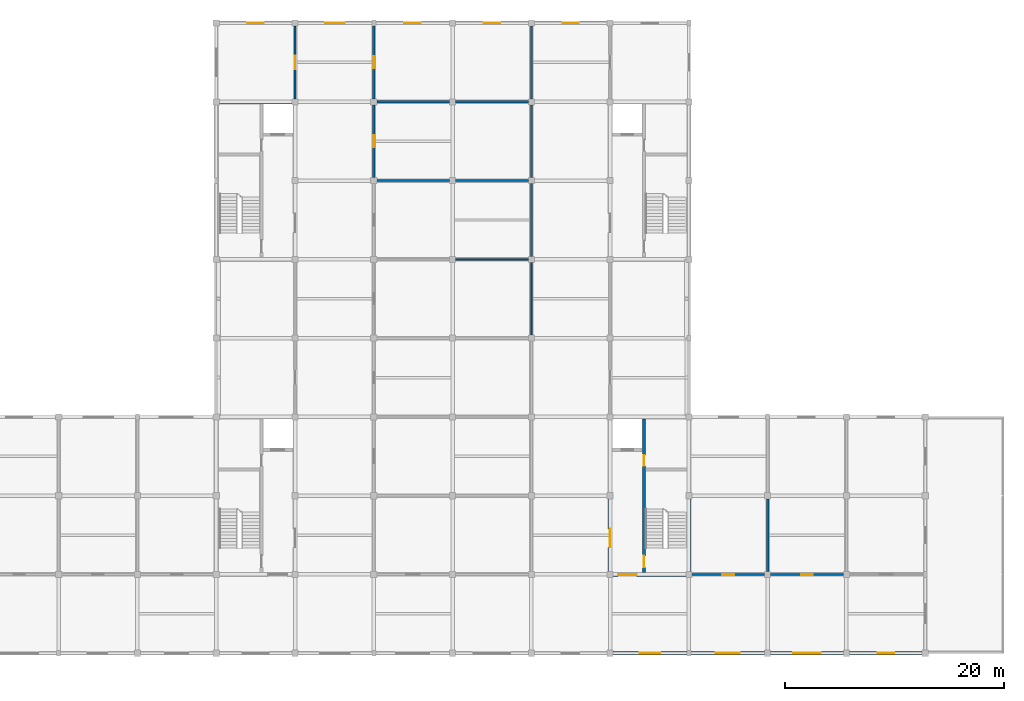
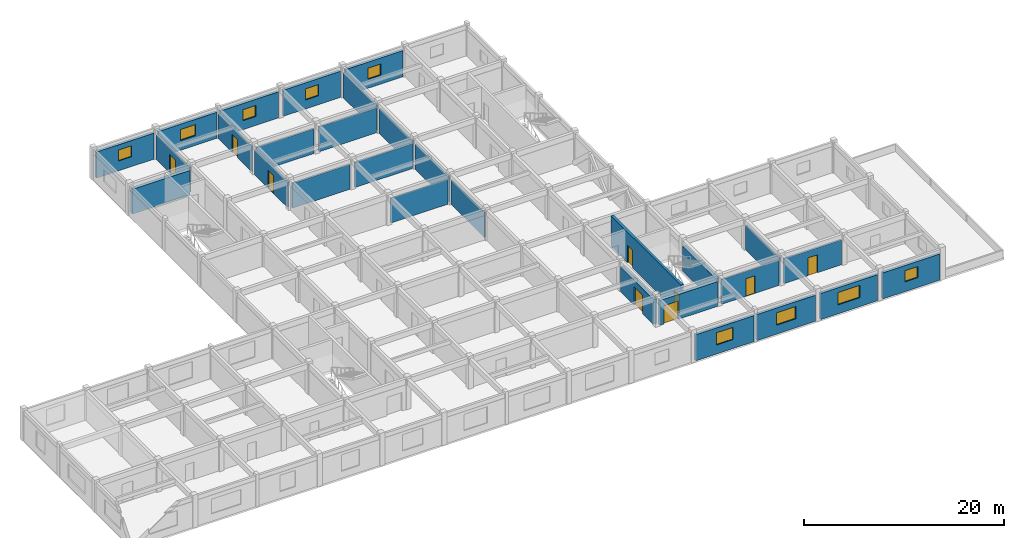
# One storey, part 7 of 10: 29 walls, 9 doors, 9 windows, 18 openings.
"""IFC4 building model written with IfcOpenShell, lengths in metres."""

from ifc_helpers import new_model, si_unit, direction, frame, frame_2d, origin, place, context, subcontext, project, spatial, rectangle, extrude, material, layer, layer_set, type_object, element, fill, save


model = new_model("IFC4")

# Units and contexts
model_context = context("Model", 3, precision=1e-05, world=origin(), true_north=direction((0.0, 1.0)))
body_context = subcontext(model_context, "Body", "Model", "MODEL_VIEW")
ifc_project = project(units=[si_unit("LENGTHUNIT", "METRE"), si_unit("AREAUNIT", "SQUARE_METRE"), si_unit("VOLUMEUNIT", "CUBIC_METRE"), si_unit("PLANEANGLEUNIT", "RADIAN"), si_unit("MASSUNIT", "GRAM", prefix="KILO")], contexts=[model_context])

# Site, building, storey
site_placement = place(None, origin())
site = spatial("IfcSite", under=ifc_project, at=site_placement, CompositionType="ELEMENT")
building_placement = place(site_placement, origin())
building = spatial("IfcBuilding", under=site, at=building_placement, Name="Cendaluz Park School", CompositionType="ELEMENT")
storey_placement = place(building_placement, frame((0.0, 0.0, 34.800048828125)))
storey = spatial("IfcBuildingStorey", under=building, at=storey_placement, Name="L08", CompositionType="ELEMENT", Elevation=34.800048828125)

# Wall, opening, door
ifc_material_1 = material(Name="Gypsum Plasterboard on Cold-Formed Stud", Category="gypsum")
ifc_layer_1 = layer(ifc_material_1, 0.199951171875)
ifc_layer_set_1 = layer_set([ifc_layer_1], Name="Gypsum Plasterboard on Cold-Formed Stud")
wall_type_1 = type_object("IfcWallType", Name="W-AC20", PredefinedType="PARTITIONING", material=ifc_layer_set_1)
wall_1_placement = place(storey_placement, frame((108.280029296875, 14.39990234375, 0.0), z_axis=(0.0, 0.0, 1.0), x_axis=(1.0, 0.0, 0.0)))
wall_1 = element("IfcWall", 1, at=wall_1_placement, inside=storey, type_object=wall_type_1, Name="WL-FI-BM9", PredefinedType="PARTITIONING", context=body_context, shape_type="SweptSolid", body=[
    extrude(rectangle(XDim=6.639892578125, YDim=0.199951171875, at=frame_2d((3.31982421875, 0.0))), origin(), (0.0, 0.0, 1.0), 3.030029296875),
])
opening_1_placement = place(wall_1_placement, frame((2.7900390625, 0.0, 0.0)))
opening_1 = element("IfcOpeningElement", 2, at=opening_1_placement, cuts=wall_1, Name="Opening DCL-04", PredefinedType="OPENING", context=body_context, shape_type="SweptSolid", body=[
    extrude(rectangle(XDim=1.06005859375, YDim=2.159912109375, at=frame_2d((0.530029296875, 1.080078125))), frame((0.0, 0.112060546875, 0.0), z_axis=(0.0, -1.0, 0.0), x_axis=(1.0, 0.0, 0.0)), (0.0, 0.0, 1.0), 0.223876953125),
])
ifc_material_2 = material(Name="Solid Core Hardwood", Category="wood")
door_type_1 = type_object("IfcDoorType", Name="DCL-04", OperationType="NOTDEFINED", PredefinedType="DOOR", material=ifc_material_2)
door_1_placement = place(opening_1_placement, origin())
door_1 = element("IfcDoor", 3, at=door_1_placement, inside=storey, type_object=door_type_1, Name="D-L08-023", OperationType="SINGLE_SWING_RIGHT", OverallHeight=2.159912109375, OverallWidth=1.06005859375, PredefinedType="DOOR", context=body_context, shape_type="SweptSolid", body=[
    extrude(rectangle(XDim=1.06005859375, YDim=2.159912109375, at=frame_2d((0.530029296875, 1.080078125))), frame((0.0, 0.02490234375, 0.0), z_axis=(0.0, -1.0, 0.0), x_axis=(1.0, 0.0, 0.0)), (0.0, 0.0, 1.0), 0.050048828125),
])
fill(opening_1, door_1)

# Wall
wall_2_placement = place(storey_placement, frame((115.199951171875, 14.679931640625, 0.0), z_axis=(0.0, 0.0, 1.0), x_axis=(0.0, 1.0, 0.0)))
element("IfcWall", 4, at=wall_2_placement, inside=storey, type_object=wall_type_1, Name="WL-FI-BN0", PredefinedType="PARTITIONING", context=body_context, shape_type="SweptSolid", body=[
    extrude(rectangle(XDim=6.64013671875, YDim=0.199951171875, at=frame_2d((3.320068359375, 0.0))), origin(), (0.0, 0.0, 1.0), 3.030029296875),
])

# Wall, opening, door
wall_3_placement = place(storey_placement, frame((115.47998046875, 14.39990234375, 0.0), z_axis=(0.0, 0.0, 1.0), x_axis=(1.0, 0.0, 0.0)))
wall_3 = element("IfcWall", 5, at=wall_3_placement, inside=storey, type_object=wall_type_1, Name="WL-FI-BN2", PredefinedType="PARTITIONING", context=body_context, shape_type="SweptSolid", body=[
    extrude(rectangle(XDim=6.64013671875, YDim=0.199951171875, at=frame_2d((3.320068359375, 0.0))), origin(), (0.0, 0.0, 1.0), 3.030029296875),
])
opening_2_placement = place(wall_3_placement, frame((2.780029296875, 0.0, 0.0)))
opening_2 = element("IfcOpeningElement", 6, at=opening_2_placement, cuts=wall_3, Name="Opening DCL-05", PredefinedType="OPENING", context=body_context, shape_type="SweptSolid", body=[
    extrude(rectangle(XDim=1.080078125, YDim=2.179931640625, at=frame_2d((0.5400390625, 1.08984375))), frame((0.0, 0.112060546875, 0.0), z_axis=(0.0, -1.0, 0.0), x_axis=(1.0, 0.0, 0.0)), (0.0, 0.0, 1.0), 0.223876953125),
])
door_type_2 = type_object("IfcDoorType", Name="DCL-05", OperationType="NOTDEFINED", PredefinedType="DOOR", material=ifc_material_2)
door_2_placement = place(opening_2_placement, origin())
door_2 = element("IfcDoor", 7, at=door_2_placement, inside=storey, type_object=door_type_2, Name="D-L08-024", OperationType="SINGLE_SWING_LEFT", OverallHeight=2.179931640625, OverallWidth=1.080078125, PredefinedType="DOOR", context=body_context, shape_type="SweptSolid", body=[
    extrude(rectangle(XDim=1.080078125, YDim=2.179931640625, at=frame_2d((0.5400390625, 1.08984375))), frame((0.0, 0.02490234375, 0.0), z_axis=(0.0, -1.0, 0.0), x_axis=(1.0, 0.0, 0.0)), (0.0, 0.0, 1.0), 0.050048828125),
])
fill(opening_2, door_2)

wall_4_placement = place(storey_placement, frame((72.0, 57.8798828125, 0.0), z_axis=(0.0, 0.0, 1.0), x_axis=(0.0, 1.0, 0.0)))
wall_4 = element("IfcWall", 8, at=wall_4_placement, inside=storey, type_object=wall_type_1, Name="WL-FI-BN8", PredefinedType="PARTITIONING", context=body_context, shape_type="SweptSolid", body=[
    extrude(rectangle(XDim=6.64013671875, YDim=0.199951171875, at=frame_2d((3.320068359375, 0.0))), origin(), (0.0, 0.0, 1.0), 3.030029296875),
])
opening_3_placement = place(wall_4_placement, frame((2.719970703125, 0.0, 0.0)))
opening_3 = element("IfcOpeningElement", 9, at=opening_3_placement, cuts=wall_4, Name="Opening DCL-08", PredefinedType="OPENING", context=body_context, shape_type="SweptSolid", body=[
    extrude(rectangle(XDim=1.199951171875, YDim=2.239990234375, at=frame_2d((0.60009765625, 1.1201171875))), frame((0.0, 0.112060546875, 0.0), z_axis=(0.0, -1.0, 0.0), x_axis=(1.0, 0.0, 0.0)), (0.0, 0.0, 1.0), 0.223876953125),
])
door_type_3 = type_object("IfcDoorType", Name="DCL-08", OperationType="NOTDEFINED", PredefinedType="DOOR", material=ifc_material_2)
door_3_placement = place(opening_3_placement, origin())
door_3 = element("IfcDoor", 10, at=door_3_placement, inside=storey, type_object=door_type_3, Name="D-L08-027", OperationType="SINGLE_SWING_RIGHT", OverallHeight=2.239990234375, OverallWidth=1.199951171875, PredefinedType="DOOR", context=body_context, shape_type="SweptSolid", body=[
    extrude(rectangle(XDim=1.199951171875, YDim=2.239990234375, at=frame_2d((0.60009765625, 1.1201171875))), frame((0.0, 0.02490234375, 0.0), z_axis=(0.0, -1.0, 0.0), x_axis=(1.0, 0.0, 0.0)), (0.0, 0.0, 1.0), 0.050048828125),
])
fill(opening_3, door_3)

# Walls
for number, where, z_axis, x_axis, name in (
    (11, (79.47998046875, 50.39990234375, 0.0), (0.0, 0.0, 1.0), (1.0, 0.0, 0.0), "WL-FI-BP7"),
    (12, (86.679931640625, 50.39990234375, 0.0), (0.0, 0.0, 1.0), (1.0, 0.0, 0.0), "WL-FI-BP9"),
    (13, (93.60009765625, 43.47998046875, 0.0), (0.0, 0.0, 1.0), (0.0, 1.0, 0.0), "WL-FI-BQ0"),
    (14, (79.47998046875, 57.60009765625, 0.0), (0.0, 0.0, 1.0), (1.0, 0.0, 0.0), "WL-FI-BQ1"),
):
    element("IfcWall", number, at=place(storey_placement, frame(where, z_axis=z_axis, x_axis=x_axis)), inside=storey, type_object=wall_type_1, Name=name, PredefinedType="PARTITIONING", context=body_context, shape_type="SweptSolid", body=[
        extrude(rectangle(XDim=6.64013671875, YDim=0.199951171875, at=frame_2d((3.320068359375, 0.0))), origin(), (0.0, 0.0, 1.0), 3.030029296875),
    ])

# Wall, opening, door
wall_5_placement = place(storey_placement, frame((79.199951171875, 50.679931640625, 0.0), z_axis=(0.0, 0.0, 1.0), x_axis=(0.0, 1.0, 0.0)))
wall_5 = element("IfcWall", 15, at=wall_5_placement, inside=storey, type_object=wall_type_1, Name="WL-FI-BQ2", PredefinedType="PARTITIONING", context=body_context, shape_type="SweptSolid", body=[
    extrude(rectangle(XDim=6.64013671875, YDim=0.199951171875, at=frame_2d((3.320068359375, 0.0))), origin(), (0.0, 0.0, 1.0), 3.030029296875),
])
opening_4_placement = place(wall_5_placement, frame((2.7900390625, 0.0, 0.0)))
opening_4 = element("IfcOpeningElement", 16, at=opening_4_placement, cuts=wall_5, Name="Opening DCL-04", PredefinedType="OPENING", context=body_context, shape_type="SweptSolid", body=[
    extrude(rectangle(XDim=1.06005859375, YDim=2.159912109375, at=frame_2d((0.530029296875, 1.080078125))), frame((0.0, 0.112060546875, 0.0), z_axis=(0.0, -1.0, 0.0), x_axis=(1.0, 0.0, 0.0)), (0.0, 0.0, 1.0), 0.223876953125),
])
door_4_placement = place(opening_4_placement, frame((1.06005859375, 0.0, 0.0), z_axis=(0.0, 0.0, 1.0), x_axis=(-1.0, 0.0, 0.0)))
door_4 = element("IfcDoor", 17, at=door_4_placement, inside=storey, type_object=door_type_1, Name="D-L08-033", OperationType="SINGLE_SWING_RIGHT", OverallHeight=2.159912109375, OverallWidth=1.06005859375, PredefinedType="DOOR", context=body_context, shape_type="SweptSolid", body=[
    extrude(rectangle(XDim=1.06005859375, YDim=2.159912109375, at=frame_2d((0.530029296875, 1.080078125))), frame((0.0, 0.02490234375, 0.0), z_axis=(0.0, -1.0, 0.0), x_axis=(1.0, 0.0, 0.0)), (0.0, 0.0, 1.0), 0.050048828125),
])
fill(opening_4, door_4)

# Walls
for number, where, z_axis, x_axis, name in (
    (18, (86.679931640625, 57.60009765625, 0.0), (0.0, 0.0, 1.0), (1.0, 0.0, 0.0), "WL-FI-BQ3"),
    (19, (93.60009765625, 50.679931640625, 0.0), (0.0, 0.0, 1.0), (0.0, 1.0, 0.0), "WL-FI-BQ4"),
):
    element("IfcWall", number, at=place(storey_placement, frame(where, z_axis=z_axis, x_axis=x_axis)), inside=storey, type_object=wall_type_1, Name=name, PredefinedType="PARTITIONING", context=body_context, shape_type="SweptSolid", body=[
        extrude(rectangle(XDim=6.64013671875, YDim=0.199951171875, at=frame_2d((3.320068359375, 0.0))), origin(), (0.0, 0.0, 1.0), 3.030029296875),
    ])

# Wall, opening, door
wall_6_placement = place(storey_placement, frame((79.199951171875, 57.8798828125, 0.0), z_axis=(0.0, 0.0, 1.0), x_axis=(0.0, 1.0, 0.0)))
wall_6 = element("IfcWall", 20, at=wall_6_placement, inside=storey, type_object=wall_type_1, Name="WL-FI-BQ5", PredefinedType="PARTITIONING", context=body_context, shape_type="SweptSolid", body=[
    extrude(rectangle(XDim=6.66015625, YDim=0.199951171875, at=frame_2d((3.330078125, 0.0))), origin(), (0.0, 0.0, 1.0), 3.030029296875),
])
opening_5_placement = place(wall_6_placement, frame((2.7900390625, 0.0, 0.0)))
opening_5 = element("IfcOpeningElement", 21, at=opening_5_placement, cuts=wall_6, Name="Opening DCL-05", PredefinedType="OPENING", context=body_context, shape_type="SweptSolid", body=[
    extrude(rectangle(XDim=1.080078125, YDim=2.179931640625, at=frame_2d((0.5400390625, 1.08984375))), frame((0.0, 0.112060546875, 0.0), z_axis=(0.0, -1.0, 0.0), x_axis=(1.0, 0.0, 0.0)), (0.0, 0.0, 1.0), 0.223876953125),
])
door_5_placement = place(opening_5_placement, frame((1.080078125, 0.0, 0.0), z_axis=(0.0, 0.0, 1.0), x_axis=(-1.0, 0.0, 0.0)))
door_5 = element("IfcDoor", 22, at=door_5_placement, inside=storey, type_object=door_type_2, Name="D-L08-034", OperationType="SINGLE_SWING_LEFT", OverallHeight=2.179931640625, OverallWidth=1.080078125, PredefinedType="DOOR", context=body_context, shape_type="SweptSolid", body=[
    extrude(rectangle(XDim=1.080078125, YDim=2.179931640625, at=frame_2d((0.5400390625, 1.08984375))), frame((0.0, 0.02490234375, 0.0), z_axis=(0.0, -1.0, 0.0), x_axis=(1.0, 0.0, 0.0)), (0.0, 0.0, 1.0), 0.050048828125),
])
fill(opening_5, door_5)

# Wall
wall_7_placement = place(storey_placement, frame((93.60009765625, 57.8798828125, 0.0), z_axis=(0.0, 0.0, 1.0), x_axis=(0.0, 1.0, 0.0)))
element("IfcWall", 23, at=wall_7_placement, inside=storey, type_object=wall_type_1, Name="WL-FI-BQ6", PredefinedType="PARTITIONING", context=body_context, shape_type="SweptSolid", body=[
    extrude(rectangle(XDim=6.64013671875, YDim=0.199951171875, at=frame_2d((3.320068359375, 0.0))), origin(), (0.0, 0.0, 1.0), 3.030029296875),
])

# Wall, opening, window
ifc_material_3 = material(Name="Cross-laminated timber CLT C24", Category="wood")
ifc_layer_2 = layer(ifc_material_3, 0.300048828125)
ifc_layer_set_2 = layer_set([ifc_layer_2], Name="Cross-laminated timber CLT C24")
wall_type_2 = type_object("IfcWallType", Name="W-EX30", PredefinedType="SOLIDWALL", material=ifc_layer_set_2)
wall_8_placement = place(storey_placement, frame((65.080078125, 64.800048828125, 0.0), z_axis=(0.0, 0.0, 1.0), x_axis=(1.0, 0.0, 0.0)))
wall_8 = element("IfcWall", 24, at=wall_8_placement, inside=storey, type_object=wall_type_2, Name="WL-FI-AB4", PredefinedType="SOLIDWALL", context=body_context, shape_type="SweptSolid", body=[
    extrude(rectangle(XDim=6.639892578125, YDim=0.300048828125, at=frame_2d((3.31982421875, 0.0))), origin(), (0.0, 0.0, 1.0), 3.18994140625),
])
opening_6_placement = place(wall_8_placement, frame((2.570068359375, 0.0, 1.199951171875)))
opening_6 = element("IfcOpeningElement", 25, at=opening_6_placement, cuts=wall_8, Name="Opening WN-20", PredefinedType="OPENING", context=body_context, shape_type="SweptSolid", body=[
    extrude(rectangle(XDim=1.5, YDim=1.35009765625, at=frame_2d((0.75, 0.675048828125))), frame((0.0, 0.162109375, 0.0), z_axis=(0.0, -1.0, 0.0), x_axis=(1.0, 0.0, 0.0)), (0.0, 0.0, 1.0), 0.323974609375),
])
ifc_material_4 = material(Name="Tempered Low-E Double Glazing", Category="glass")
window_type_1 = type_object("IfcWindowType", Name="WN-20", PartitioningType="SINGLE_PANEL", PredefinedType="WINDOW", material=ifc_material_4)
window_1_placement = place(opening_6_placement, origin())
window_1 = element("IfcWindow", 26, at=window_1_placement, inside=storey, type_object=window_type_1, Name="WN-L08-013", OverallHeight=1.35009765625, OverallWidth=1.5, PartitioningType="SINGLE_PANEL", PredefinedType="WINDOW", context=body_context, shape_type="SweptSolid", body=[
    extrude(rectangle(XDim=1.5, YDim=1.35009765625, at=frame_2d((0.75, 0.675048828125))), frame((0.0, 0.030029296875, 0.0), z_axis=(0.0, -1.0, 0.0), x_axis=(1.0, 0.0, 0.0)), (0.0, 0.0, 1.0), 0.06005859375),
])
fill(opening_6, window_1)

wall_9_placement = place(storey_placement, frame((72.280029296875, 64.800048828125, 0.0), z_axis=(0.0, 0.0, 1.0), x_axis=(1.0, 0.0, 0.0)))
wall_9 = element("IfcWall", 27, at=wall_9_placement, inside=storey, type_object=wall_type_2, Name="WL-FI-AB7", PredefinedType="SOLIDWALL", context=body_context, shape_type="SweptSolid", body=[
    extrude(rectangle(XDim=6.739990234375, YDim=0.300048828125, at=frame_2d((3.3701171875, 0.0))), origin(), (0.0, 0.0, 1.0), 3.18994140625),
])
opening_7_placement = place(wall_9_placement, frame((2.4951171875, 0.0, 1.199951171875)))
opening_7 = element("IfcOpeningElement", 28, at=opening_7_placement, cuts=wall_9, Name="Opening WN-21", PredefinedType="OPENING", context=body_context, shape_type="SweptSolid", body=[
    extrude(rectangle(XDim=1.75, YDim=1.35009765625, at=frame_2d((0.875, 0.675048828125))), frame((0.0, 0.162109375, 0.0), z_axis=(0.0, -1.0, 0.0), x_axis=(1.0, 0.0, 0.0)), (0.0, 0.0, 1.0), 0.323974609375),
])
window_type_2 = type_object("IfcWindowType", Name="WN-21", PartitioningType="SINGLE_PANEL", PredefinedType="WINDOW", material=ifc_material_4)
window_2_placement = place(opening_7_placement, origin())
window_2 = element("IfcWindow", 29, at=window_2_placement, inside=storey, type_object=window_type_2, Name="WN-L08-016", OverallHeight=1.35009765625, OverallWidth=1.75, PartitioningType="SINGLE_PANEL", PredefinedType="WINDOW", context=body_context, shape_type="SweptSolid", body=[
    extrude(rectangle(XDim=1.75, YDim=1.35009765625, at=frame_2d((0.875, 0.675048828125))), frame((0.0, 0.030029296875, 0.0), z_axis=(0.0, -1.0, 0.0), x_axis=(1.0, 0.0, 0.0)), (0.0, 0.0, 1.0), 0.06005859375),
])
fill(opening_7, window_2)

wall_10_placement = place(storey_placement, frame((79.3798828125, 64.800048828125, 0.0), z_axis=(0.0, 0.0, 1.0), x_axis=(1.0, 0.0, 0.0)))
wall_10 = element("IfcWall", 30, at=wall_10_placement, inside=storey, type_object=wall_type_2, Name="WL-FI-AB9", PredefinedType="SOLIDWALL", context=body_context, shape_type="SweptSolid", body=[
    extrude(rectangle(XDim=6.740234375, YDim=0.300048828125, at=frame_2d((3.3701171875, 0.0))), origin(), (0.0, 0.0, 1.0), 3.18994140625),
])
opening_8_placement = place(wall_10_placement, frame((2.6201171875, 0.0, 1.10009765625)))
opening_8 = element("IfcOpeningElement", 31, at=opening_8_placement, cuts=wall_10, Name="Opening WN-20", PredefinedType="OPENING", context=body_context, shape_type="SweptSolid", body=[
    extrude(rectangle(XDim=1.5, YDim=1.35009765625, at=frame_2d((0.75, 0.675048828125))), frame((0.0, 0.162109375, 0.0), z_axis=(0.0, -1.0, 0.0), x_axis=(1.0, 0.0, 0.0)), (0.0, 0.0, 1.0), 0.323974609375),
])
window_3_placement = place(opening_8_placement, origin())
window_3 = element("IfcWindow", 32, at=window_3_placement, inside=storey, type_object=window_type_1, Name="WN-L08-018", OverallHeight=1.35009765625, OverallWidth=1.5, PartitioningType="SINGLE_PANEL", PredefinedType="WINDOW", context=body_context, shape_type="SweptSolid", body=[
    extrude(rectangle(XDim=1.5, YDim=1.35009765625, at=frame_2d((0.75, 0.675048828125))), frame((0.0, 0.030029296875, 0.0), z_axis=(0.0, -1.0, 0.0), x_axis=(1.0, 0.0, 0.0)), (0.0, 0.0, 1.0), 0.06005859375),
])
fill(opening_8, window_3)

wall_11_placement = place(storey_placement, frame((86.679931640625, 64.800048828125, 0.0), z_axis=(0.0, 0.0, 1.0), x_axis=(1.0, 0.0, 0.0)))
wall_11 = element("IfcWall", 33, at=wall_11_placement, inside=storey, type_object=wall_type_2, Name="WL-FI-AC1", PredefinedType="SOLIDWALL", context=body_context, shape_type="SweptSolid", body=[
    extrude(rectangle(XDim=6.64013671875, YDim=0.300048828125, at=frame_2d((3.320068359375, 0.0))), origin(), (0.0, 0.0, 1.0), 3.18994140625),
])
opening_9_placement = place(wall_11_placement, frame((2.570068359375, 0.0, 1.10009765625)))
opening_9 = element("IfcOpeningElement", 34, at=opening_9_placement, cuts=wall_11, Name="Opening WN-20", PredefinedType="OPENING", context=body_context, shape_type="SweptSolid", body=[
    extrude(rectangle(XDim=1.5, YDim=1.35009765625, at=frame_2d((0.75, 0.675048828125))), frame((0.0, 0.162109375, 0.0), z_axis=(0.0, -1.0, 0.0), x_axis=(1.0, 0.0, 0.0)), (0.0, 0.0, 1.0), 0.323974609375),
])
window_4_placement = place(opening_9_placement, origin())
window_4 = element("IfcWindow", 35, at=window_4_placement, inside=storey, type_object=window_type_1, Name="WN-L08-020", OverallHeight=1.35009765625, OverallWidth=1.5, PartitioningType="SINGLE_PANEL", PredefinedType="WINDOW", context=body_context, shape_type="SweptSolid", body=[
    extrude(rectangle(XDim=1.5, YDim=1.35009765625, at=frame_2d((0.75, 0.675048828125))), frame((0.0, 0.030029296875, 0.0), z_axis=(0.0, -1.0, 0.0), x_axis=(1.0, 0.0, 0.0)), (0.0, 0.0, 1.0), 0.06005859375),
])
fill(opening_9, window_4)

wall_12_placement = place(storey_placement, frame((93.8798828125, 64.800048828125, 0.0), z_axis=(0.0, 0.0, 1.0), x_axis=(1.0, 0.0, 0.0)))
wall_12 = element("IfcWall", 36, at=wall_12_placement, inside=storey, type_object=wall_type_2, Name="WL-FI-AC3", PredefinedType="SOLIDWALL", context=body_context, shape_type="SweptSolid", body=[
    extrude(rectangle(XDim=6.64013671875, YDim=0.300048828125, at=frame_2d((3.320068359375, 0.0))), origin(), (0.0, 0.0, 1.0), 3.18994140625),
])
opening_10_placement = place(wall_12_placement, frame((2.570068359375, 0.0, 1.10009765625)))
opening_10 = element("IfcOpeningElement", 37, at=opening_10_placement, cuts=wall_12, Name="Opening WN-20", PredefinedType="OPENING", context=body_context, shape_type="SweptSolid", body=[
    extrude(rectangle(XDim=1.5, YDim=1.35009765625, at=frame_2d((0.75, 0.675048828125))), frame((0.0, 0.162109375, 0.0), z_axis=(0.0, -1.0, 0.0), x_axis=(1.0, 0.0, 0.0)), (0.0, 0.0, 1.0), 0.323974609375),
])
window_5_placement = place(opening_10_placement, origin())
window_5 = element("IfcWindow", 38, at=window_5_placement, inside=storey, type_object=window_type_1, Name="WN-L08-022", OverallHeight=1.35009765625, OverallWidth=1.5, PartitioningType="SINGLE_PANEL", PredefinedType="WINDOW", context=body_context, shape_type="SweptSolid", body=[
    extrude(rectangle(XDim=1.5, YDim=1.35009765625, at=frame_2d((0.75, 0.675048828125))), frame((0.0, 0.030029296875, 0.0), z_axis=(0.0, -1.0, 0.0), x_axis=(1.0, 0.0, 0.0)), (0.0, 0.0, 1.0), 0.06005859375),
])
fill(opening_10, window_5)

wall_13_placement = place(storey_placement, frame((101.080078125, 7.199951171875, 0.0), z_axis=(0.0, 0.0, 1.0), x_axis=(1.0, 0.0, 0.0)))
wall_13 = element("IfcWall", 39, at=wall_13_placement, inside=storey, type_object=wall_type_2, Name="WL-FI-AC4", PredefinedType="SOLIDWALL", context=body_context, shape_type="SweptSolid", body=[
    extrude(rectangle(XDim=6.739990234375, YDim=0.300048828125, at=frame_2d((3.3701171875, 0.0))), origin(), (0.0, 0.0, 1.0), 3.18994140625),
])
opening_11_placement = place(wall_13_placement, frame((2.419921875, 0.0, 1.10009765625)))
opening_11 = element("IfcOpeningElement", 40, at=opening_11_placement, cuts=wall_13, Name="Opening WN-17", PredefinedType="OPENING", context=body_context, shape_type="SweptSolid", body=[
    extrude(rectangle(XDim=1.89990234375, YDim=1.5, at=frame_2d((0.949951171875, 0.75))), frame((0.0, 0.162109375, 0.0), z_axis=(0.0, -1.0, 0.0), x_axis=(1.0, 0.0, 0.0)), (0.0, 0.0, 1.0), 0.323974609375),
])
window_type_3 = type_object("IfcWindowType", Name="WN-17", PartitioningType="SINGLE_PANEL", PredefinedType="WINDOW", material=ifc_material_4)
window_6_placement = place(opening_11_placement, origin())
window_6 = element("IfcWindow", 41, at=window_6_placement, inside=storey, type_object=window_type_3, Name="WN-L08-023", OverallHeight=1.5, OverallWidth=1.89990234375, PartitioningType="SINGLE_PANEL", PredefinedType="WINDOW", context=body_context, shape_type="SweptSolid", body=[
    extrude(rectangle(XDim=1.89990234375, YDim=1.5, at=frame_2d((0.949951171875, 0.75))), frame((0.0, 0.030029296875, 0.0), z_axis=(0.0, -1.0, 0.0), x_axis=(1.0, 0.0, 0.0)), (0.0, 0.0, 1.0), 0.06005859375),
])
fill(opening_11, window_6)

wall_14_placement = place(storey_placement, frame((108.179931640625, 7.199951171875, 0.0), z_axis=(0.0, 0.0, 1.0), x_axis=(1.0, 0.0, 0.0)))
wall_14 = element("IfcWall", 42, at=wall_14_placement, inside=storey, type_object=wall_type_2, Name="WL-FI-AC9", PredefinedType="SOLIDWALL", context=body_context, shape_type="SweptSolid", body=[
    extrude(rectangle(XDim=6.739990234375, YDim=0.300048828125, at=frame_2d((3.3701171875, 0.0))), origin(), (0.0, 0.0, 1.0), 3.18994140625),
])
opening_12_placement = place(wall_14_placement, frame((2.27001953125, 0.0, 1.10009765625)))
opening_12 = element("IfcOpeningElement", 43, at=opening_12_placement, cuts=wall_14, Name="Opening WN-18", PredefinedType="OPENING", context=body_context, shape_type="SweptSolid", body=[
    extrude(rectangle(XDim=2.199951171875, YDim=1.5, at=frame_2d((1.10009765625, 0.75))), frame((0.0, 0.162109375, 0.0), z_axis=(0.0, -1.0, 0.0), x_axis=(1.0, 0.0, 0.0)), (0.0, 0.0, 1.0), 0.323974609375),
])
window_type_4 = type_object("IfcWindowType", Name="WN-18", PartitioningType="SINGLE_PANEL", PredefinedType="WINDOW", material=ifc_material_4)
window_7_placement = place(opening_12_placement, origin())
window_7 = element("IfcWindow", 44, at=window_7_placement, inside=storey, type_object=window_type_4, Name="WN-L08-026", OverallHeight=1.5, OverallWidth=2.199951171875, PartitioningType="SINGLE_PANEL", PredefinedType="WINDOW", context=body_context, shape_type="SweptSolid", body=[
    extrude(rectangle(XDim=2.199951171875, YDim=1.5, at=frame_2d((1.10009765625, 0.75))), frame((0.0, 0.030029296875, 0.0), z_axis=(0.0, -1.0, 0.0), x_axis=(1.0, 0.0, 0.0)), (0.0, 0.0, 1.0), 0.06005859375),
])
fill(opening_12, window_7)

wall_15_placement = place(storey_placement, frame((115.47998046875, 7.199951171875, 0.0), z_axis=(0.0, 0.0, 1.0), x_axis=(1.0, 0.0, 0.0)))
wall_15 = element("IfcWall", 45, at=wall_15_placement, inside=storey, type_object=wall_type_2, Name="WL-FI-AD1", PredefinedType="SOLIDWALL", context=body_context, shape_type="SweptSolid", body=[
    extrude(rectangle(XDim=6.64013671875, YDim=0.300048828125, at=frame_2d((3.320068359375, 0.0))), origin(), (0.0, 0.0, 1.0), 3.18994140625),
])
opening_13_placement = place(wall_15_placement, frame((2.070068359375, 0.0, 1.10009765625)))
opening_13 = element("IfcOpeningElement", 46, at=opening_13_placement, cuts=wall_15, Name="Opening WN-19", PredefinedType="OPENING", context=body_context, shape_type="SweptSolid", body=[
    extrude(rectangle(XDim=2.5, YDim=1.5, at=frame_2d((1.25, 0.75))), frame((0.0, 0.162109375, 0.0), z_axis=(0.0, -1.0, 0.0), x_axis=(1.0, 0.0, 0.0)), (0.0, 0.0, 1.0), 0.323974609375),
])
window_type_5 = type_object("IfcWindowType", Name="WN-19", PartitioningType="SINGLE_PANEL", PredefinedType="WINDOW", material=ifc_material_4)
window_8_placement = place(opening_13_placement, origin())
window_8 = element("IfcWindow", 47, at=window_8_placement, inside=storey, type_object=window_type_5, Name="WN-L08-028", OverallHeight=1.5, OverallWidth=2.5, PartitioningType="SINGLE_PANEL", PredefinedType="WINDOW", context=body_context, shape_type="SweptSolid", body=[
    extrude(rectangle(XDim=2.5, YDim=1.5, at=frame_2d((1.25, 0.75))), frame((0.0, 0.030029296875, 0.0), z_axis=(0.0, -1.0, 0.0), x_axis=(1.0, 0.0, 0.0)), (0.0, 0.0, 1.0), 0.06005859375),
])
fill(opening_13, window_8)

wall_16_placement = place(storey_placement, frame((122.679931640625, 7.199951171875, 0.0), z_axis=(0.0, 0.0, 1.0), x_axis=(1.0, 0.0, 0.0)))
wall_16 = element("IfcWall", 48, at=wall_16_placement, inside=storey, type_object=wall_type_2, Name="WL-FI-AD3", PredefinedType="SOLIDWALL", context=body_context, shape_type="SweptSolid", body=[
    extrude(rectangle(XDim=6.64013671875, YDim=0.300048828125, at=frame_2d((3.320068359375, 0.0))), origin(), (0.0, 0.0, 1.0), 3.18994140625),
])
opening_14_placement = place(wall_16_placement, frame((2.570068359375, 0.0, 1.199951171875)))
opening_14 = element("IfcOpeningElement", 49, at=opening_14_placement, cuts=wall_16, Name="Opening WN-20", PredefinedType="OPENING", context=body_context, shape_type="SweptSolid", body=[
    extrude(rectangle(XDim=1.5, YDim=1.35009765625, at=frame_2d((0.75, 0.675048828125))), frame((0.0, 0.162109375, 0.0), z_axis=(0.0, -1.0, 0.0), x_axis=(1.0, 0.0, 0.0)), (0.0, 0.0, 1.0), 0.323974609375),
])
window_9_placement = place(opening_14_placement, origin())
window_9 = element("IfcWindow", 50, at=window_9_placement, inside=storey, type_object=window_type_1, Name="WN-L08-030", OverallHeight=1.35009765625, OverallWidth=1.5, PartitioningType="SINGLE_PANEL", PredefinedType="WINDOW", context=body_context, shape_type="SweptSolid", body=[
    extrude(rectangle(XDim=1.5, YDim=1.35009765625, at=frame_2d((0.75, 0.675048828125))), frame((0.0, 0.030029296875, 0.0), z_axis=(0.0, -1.0, 0.0), x_axis=(1.0, 0.0, 0.0)), (0.0, 0.0, 1.0), 0.06005859375),
])
fill(opening_14, window_9)

# Wall, openings, doors
ifc_material_5 = material(Name="Concrete C40/50", Category="concrete")
ifc_layer_3 = layer(ifc_material_5, 0.280029296875)
ifc_layer_set_3 = layer_set([ifc_layer_3], Name="Concrete C40/50")
wall_type_3 = type_object("IfcWallType", Name="W-FW28", PredefinedType="SHEAR", material=ifc_layer_set_3)
wall_17_placement = place(storey_placement, frame((103.8798828125, 14.60009765625, 0.0), z_axis=(0.0, 0.0, 1.0), x_axis=(0.0, 1.0, 0.0)))
wall_17 = element("IfcWall", 51, at=wall_17_placement, inside=storey, type_object=wall_type_3, Name="WL-FI-BJ8", PredefinedType="SHEAR", context=body_context, shape_type="SweptSolid", body=[
    extrude(rectangle(XDim=14.0, YDim=0.280029296875, at=frame_2d((7.0, 0.0))), origin(), (0.0, 0.0, 1.0), 3.760009765625),
])
opening_15_placement = place(wall_17_placement, frame((0.449951171875, 0.0, 0.0)))
opening_15 = element("IfcOpeningElement", 52, at=opening_15_placement, cuts=wall_17, Name="Opening DST-02", PredefinedType="OPENING", context=body_context, shape_type="SweptSolid", body=[
    extrude(rectangle(XDim=1.050048828125, YDim=2.14990234375, at=frame_2d((0.52490234375, 1.074951171875))), frame((0.0, 0.152099609375, 0.0), z_axis=(0.0, -1.0, 0.0), x_axis=(1.0, 0.0, 0.0)), (0.0, 0.0, 1.0), 0.303955078125),
])
opening_16_placement = place(wall_17_placement, frame((9.719970703125, 0.0, 0.0)))
opening_16 = element("IfcOpeningElement", 53, at=opening_16_placement, cuts=wall_17, Name="Opening DFC-01", PredefinedType="OPENING", context=body_context, shape_type="SweptSolid", body=[
    extrude(rectangle(XDim=1.0, YDim=2.14990234375, at=frame_2d((0.5, 1.074951171875))), frame((0.0, 0.152099609375, 0.0), z_axis=(0.0, -1.0, 0.0), x_axis=(1.0, 0.0, 0.0)), (0.0, 0.0, 1.0), 0.303955078125),
])
door_type_4 = type_object("IfcDoorType", Name="DFC-01", OperationType="NOTDEFINED", PredefinedType="DOOR", material=ifc_material_2)
door_6_placement = place(opening_16_placement, frame((1.0, 0.0, 0.0), z_axis=(0.0, 0.0, 1.0), x_axis=(-1.0, 0.0, 0.0)))
door_6 = element("IfcDoor", 54, at=door_6_placement, inside=storey, type_object=door_type_4, Name="D-L08-009", OperationType="SINGLE_SWING_RIGHT", OverallHeight=2.14990234375, OverallWidth=1.0, PredefinedType="DOOR", context=body_context, shape_type="SweptSolid", body=[
    extrude(rectangle(XDim=1.0, YDim=2.14990234375, at=frame_2d((0.5, 1.074951171875))), frame((0.0, 0.02490234375, 0.0), z_axis=(0.0, -1.0, 0.0), x_axis=(1.0, 0.0, 0.0)), (0.0, 0.0, 1.0), 0.050048828125),
])
fill(opening_16, door_6)
door_type_5 = type_object("IfcDoorType", Name="DST-02", OperationType="NOTDEFINED", PredefinedType="DOOR", material=ifc_material_2)
door_7_placement = place(opening_15_placement, frame((1.050048828125, 0.0, 0.0), z_axis=(0.0, 0.0, 1.0), x_axis=(-1.0, 0.0, 0.0)))
door_7 = element("IfcDoor", 55, at=door_7_placement, inside=storey, type_object=door_type_5, Name="D-L08-008", OperationType="SINGLE_SWING_RIGHT", OverallHeight=2.14990234375, OverallWidth=1.050048828125, PredefinedType="DOOR", context=body_context, shape_type="SweptSolid", body=[
    extrude(rectangle(XDim=1.050048828125, YDim=2.14990234375, at=frame_2d((0.52490234375, 1.074951171875))), frame((0.0, 0.02490234375, 0.0), z_axis=(0.0, -1.0, 0.0), x_axis=(1.0, 0.0, 0.0)), (0.0, 0.0, 1.0), 0.050048828125),
])
fill(opening_15, door_7)

# Walls
ifc_layer_4 = layer(ifc_material_1, 0.1201171875)
ifc_layer_set_4 = layer_set([ifc_layer_4], Name="Gypsum Plasterboard on Cold-Formed Stud")
wall_type_4 = type_object("IfcWallType", Name="W-MV12", PredefinedType="MOVABLE", material=ifc_layer_set_4)
wall_18_placement = place(storey_placement, frame((86.679931640625, 43.199951171875, 0.0), z_axis=(0.0, 0.0, 1.0), x_axis=(1.0, 0.0, 0.0)))
element("IfcWall", 56, at=wall_18_placement, inside=storey, type_object=wall_type_4, Name="WL-FI-BP5", PredefinedType="MOVABLE", context=body_context, shape_type="SweptSolid", body=[
    extrude(rectangle(XDim=6.64013671875, YDim=0.1201171875, at=frame_2d((3.320068359375, 0.0))), origin(), (0.0, 0.0, 1.0), 3.030029296875),
])
wall_19_placement = place(storey_placement, frame((93.60009765625, 36.280029296875, 0.0), z_axis=(0.0, 0.0, 1.0), x_axis=(0.0, 1.0, 0.0)))
element("IfcWall", 57, at=wall_19_placement, inside=storey, type_object=wall_type_4, Name="WL-FI-BP6", PredefinedType="MOVABLE", context=body_context, shape_type="SweptSolid", body=[
    extrude(rectangle(XDim=6.639892578125, YDim=0.1201171875, at=frame_2d((3.31982421875, 0.0))), origin(), (0.0, 0.0, 1.0), 3.030029296875),
])

# Wall, opening, door
ifc_layer_5 = layer(ifc_material_5, 0.3798828125)
ifc_layer_set_5 = layer_set([ifc_layer_5], Name="Concrete C40/50")
wall_type_5 = type_object("IfcWallType", Name="W-SH38", PredefinedType="SHEAR", material=ifc_layer_set_5)
wall_20_placement = place(storey_placement, frame((100.800048828125, 14.679931640625, 0.0), z_axis=(0.0, 0.0, 1.0), x_axis=(0.0, 1.0, 0.0)))
wall_20 = element("IfcWall", 58, at=wall_20_placement, inside=storey, type_object=wall_type_5, Name="WL-FI-BJ2", PredefinedType="SHEAR", context=body_context, shape_type="SweptSolid", body=[
    extrude(rectangle(XDim=6.64013671875, YDim=0.3798828125, at=frame_2d((3.320068359375, 0.0))), origin(), (0.0, 0.0, 1.0), 3.030029296875),
])
opening_17_placement = place(wall_20_placement, frame((2.199951171875, 0.0, 0.0)))
opening_17 = element("IfcOpeningElement", 59, at=opening_17_placement, cuts=wall_20, Name="Opening DLB-02", PredefinedType="OPENING", context=body_context, shape_type="SweptSolid", body=[
    extrude(rectangle(XDim=1.699951171875, YDim=2.25, at=frame_2d((0.85009765625, 1.125))), frame((0.0, 0.201904296875, 0.0), z_axis=(0.0, -1.0, 0.0), x_axis=(1.0, 0.0, 0.0)), (0.0, 0.0, 1.0), 0.40380859375),
])
door_type_6 = type_object("IfcDoorType", Name="DLB-02", OperationType="DOUBLE_DOOR_SINGLE_SWING", PredefinedType="DOOR", material=ifc_material_2)
door_8_placement = place(opening_17_placement, frame((1.699951171875, 0.0, 0.0), z_axis=(0.0, 0.0, 1.0), x_axis=(-1.0, 0.0, 0.0)))
door_8 = element("IfcDoor", 60, at=door_8_placement, inside=storey, type_object=door_type_6, Name="D-L08-006", OperationType="DOUBLE_DOOR_SINGLE_SWING", OverallHeight=2.25, OverallWidth=1.699951171875, PredefinedType="DOOR", context=body_context, shape_type="SweptSolid", body=[
    extrude(rectangle(XDim=1.699951171875, YDim=2.25, at=frame_2d((0.85009765625, 1.125))), frame((0.0, 0.02490234375, 0.0), z_axis=(0.0, -1.0, 0.0), x_axis=(1.0, 0.0, 0.0)), (0.0, 0.0, 1.0), 0.050048828125),
])
fill(opening_17, door_8)

# Wall
wall_21_placement = place(storey_placement, frame((108.0, 14.679931640625, 0.0), z_axis=(0.0, 0.0, 1.0), x_axis=(0.0, 1.0, 0.0)))
element("IfcWall", 61, at=wall_21_placement, inside=storey, type_object=wall_type_5, Name="WL-FI-BJ4", PredefinedType="SHEAR", context=body_context, shape_type="SweptSolid", body=[
    extrude(rectangle(XDim=6.64013671875, YDim=0.3798828125, at=frame_2d((3.320068359375, 0.0))), origin(), (0.0, 0.0, 1.0), 3.030029296875),
])

# Wall, opening, door
wall_22_placement = place(storey_placement, frame((101.080078125, 14.39990234375, 0.0), z_axis=(0.0, 0.0, 1.0), x_axis=(1.0, 0.0, 0.0)))
wall_22 = element("IfcWall", 62, at=wall_22_placement, inside=storey, type_object=wall_type_5, Name="WL-FI-BJ6", PredefinedType="SHEAR", context=body_context, shape_type="SweptSolid", body=[
    extrude(rectangle(XDim=6.639892578125, YDim=0.3798828125, at=frame_2d((3.31982421875, 0.0))), origin(), (0.0, 0.0, 1.0), 3.030029296875),
])
opening_18_placement = place(wall_22_placement, frame((0.449951171875, 0.0, 0.0)))
opening_18 = element("IfcOpeningElement", 63, at=opening_18_placement, cuts=wall_22, Name="Opening DLB-02", PredefinedType="OPENING", context=body_context, shape_type="SweptSolid", body=[
    extrude(rectangle(XDim=1.699951171875, YDim=2.25, at=frame_2d((0.85009765625, 1.125))), frame((0.0, 0.201904296875, 0.0), z_axis=(0.0, -1.0, 0.0), x_axis=(1.0, 0.0, 0.0)), (0.0, 0.0, 1.0), 0.40380859375),
])
door_9_placement = place(opening_18_placement, origin())
door_9 = element("IfcDoor", 64, at=door_9_placement, inside=storey, type_object=door_type_6, Name="D-L08-007", OperationType="DOUBLE_DOOR_SINGLE_SWING", OverallHeight=2.25, OverallWidth=1.699951171875, PredefinedType="DOOR", context=body_context, shape_type="SweptSolid", body=[
    extrude(rectangle(XDim=1.699951171875, YDim=2.25, at=frame_2d((0.85009765625, 1.125))), frame((0.0, 0.02490234375, 0.0), z_axis=(0.0, -1.0, 0.0), x_axis=(1.0, 0.0, 0.0)), (0.0, 0.0, 1.0), 0.050048828125),
])
fill(opening_18, door_9)

# Wall
wall_23_placement = place(storey_placement, frame((65.080078125, 57.60009765625, 0.0), z_axis=(0.0, 0.0, 1.0), x_axis=(1.0, 0.0, 0.0)))
element("IfcWall", 65, at=wall_23_placement, inside=storey, type_object=wall_type_5, Name="WL-FI-BK6", PredefinedType="SHEAR", context=body_context, shape_type="SweptSolid", body=[
    extrude(rectangle(XDim=6.639892578125, YDim=0.3798828125, at=frame_2d((3.31982421875, 0.0))), origin(), (0.0, 0.0, 1.0), 3.030029296875),
])

save(model, "model.ifc")
